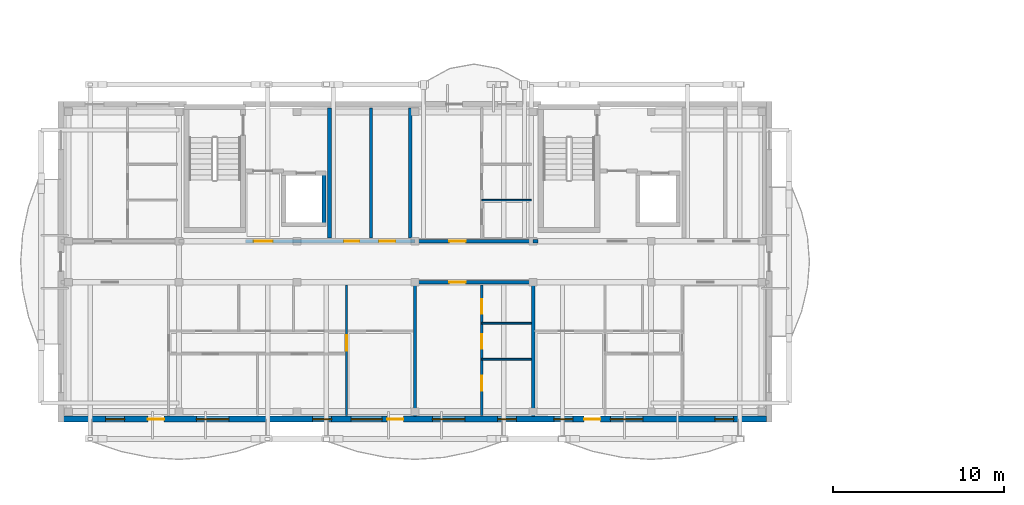
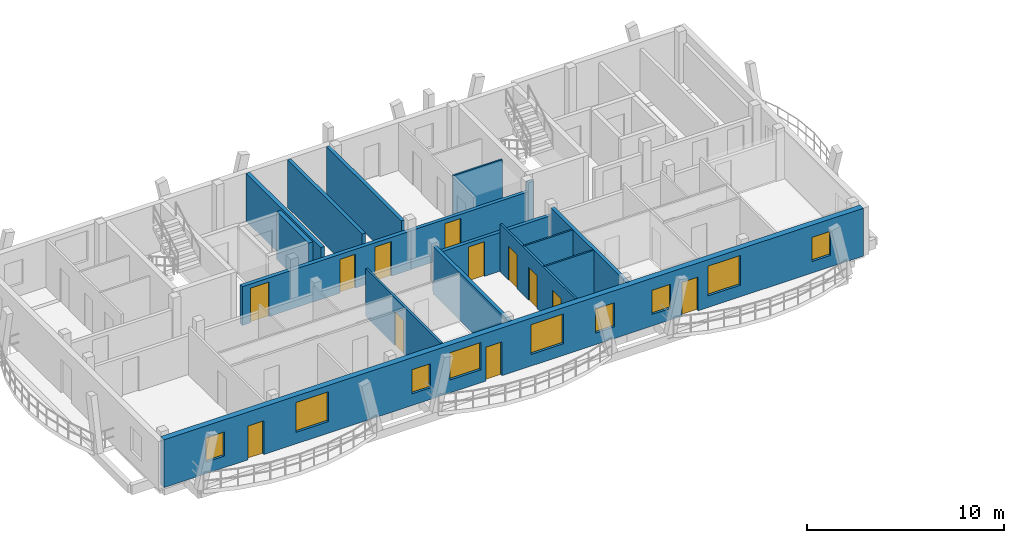
# One storey, part 10 of 21: 16 walls, 12 doors, 9 windows, 21 openings.
"""IFC4 building model written with IfcOpenShell, lengths in metres."""

from ifc_helpers import new_model, si_unit, direction, frame, frame_2d, origin, origin_with_axes, place, context, subcontext, project, spatial, rectangle, extrude, material, layer, layer_set, type_object, element, fill, save


model = new_model("IFC4")

# Units and contexts
model_context = context("Model", 3, precision=1e-05, world=origin(), true_north=direction((0.0, 1.0)))
body_context = subcontext(model_context, "Body", "Model", "MODEL_VIEW")
ifc_project = project(units=[si_unit("LENGTHUNIT", "METRE"), si_unit("AREAUNIT", "SQUARE_METRE"), si_unit("VOLUMEUNIT", "CUBIC_METRE"), si_unit("PLANEANGLEUNIT", "RADIAN"), si_unit("MASSUNIT", "GRAM", prefix="KILO")], contexts=[model_context])

# Site, building, storey
site_placement = place(None, origin())
site = spatial("IfcSite", under=ifc_project, at=site_placement, CompositionType="ELEMENT")
building_placement = place(site_placement, origin())
building = spatial("IfcBuilding", under=site, at=building_placement, Name="Zavelmont Quarter", CompositionType="ELEMENT")
storey_placement = place(building_placement, frame((0.0, 0.0, 36.800048828125)))
storey = spatial("IfcBuildingStorey", under=building, at=storey_placement, Name="L11", CompositionType="ELEMENT", Elevation=36.800048828125)

# Wall, openings, doors, windows
ifc_material_1 = material(Name="Natural Belgian limestone", Category="masonry")
ifc_layer_1 = layer(ifc_material_1, 0.340087890625)
ifc_layer_set_1 = layer_set([ifc_layer_1], Name="Natural Belgian limestone")
wall_type_1 = type_object("IfcWallType", Name="EW03", PredefinedType="STANDARD", material=ifc_layer_set_1)
wall_1_placement = place(storey_placement, frame((0.159912109375, 0.0, 0.0), z_axis=(0.0, 0.0, 1.0), x_axis=(1.0, 0.0, 0.0)))
wall_1 = element("IfcWall", 1, at=wall_1_placement, inside=storey, type_object=wall_type_1, Name="L11 exterior limestone wall EW03", PredefinedType="STANDARD", context=body_context, shape_type="SweptSolid", body=[
    extrude(rectangle(XDim=41.080078125, YDim=0.340087890625, at=frame_2d((20.5400390625, 0.0))), origin(), (0.0, 0.0, 1.0), 2.969970703125),
])
opening_1_placement = place(wall_1_placement, frame((4.926025390625, 0.0, 0.0)))
opening_1 = element("IfcOpeningElement", 2, at=opening_1_placement, cuts=wall_1, Name="Opening DR04", PredefinedType="OPENING", context=body_context, shape_type="SweptSolid", body=[
    extrude(rectangle(XDim=0.949951171875, YDim=2.10009765625, at=frame_2d((0.47509765625, 1.050048828125))), frame((0.0, 0.18212890625, 0.0), z_axis=(0.0, -1.0, 0.0), x_axis=(1.0, 0.0, 0.0)), (0.0, 0.0, 1.0), 0.364013671875),
])
opening_2_placement = place(wall_1_placement, frame((18.909912109375, 0.0, 0.0)))
opening_2 = element("IfcOpeningElement", 3, at=opening_2_placement, cuts=wall_1, Name="Opening DR04", PredefinedType="OPENING", context=body_context, shape_type="SweptSolid", body=[
    extrude(rectangle(XDim=0.949951171875, YDim=2.10009765625, at=frame_2d((0.47509765625, 1.050048828125))), frame((0.0, 0.18212890625, 0.0), z_axis=(0.0, -1.0, 0.0), x_axis=(1.0, 0.0, 0.0)), (0.0, 0.0, 1.0), 0.364013671875),
])
opening_3_placement = place(wall_1_placement, frame((30.426025390625, 0.0, 0.0)))
opening_3 = element("IfcOpeningElement", 4, at=opening_3_placement, cuts=wall_1, Name="Opening DR04", PredefinedType="OPENING", context=body_context, shape_type="SweptSolid", body=[
    extrude(rectangle(XDim=0.949951171875, YDim=2.10009765625, at=frame_2d((0.47509765625, 1.050048828125))), frame((0.0, 0.18212890625, 0.0), z_axis=(0.0, -1.0, 0.0), x_axis=(1.0, 0.0, 0.0)), (0.0, 0.0, 1.0), 0.364013671875),
])
opening_4_placement = place(wall_1_placement, frame((2.4599609375, 0.0, 0.719970703125)))
opening_4 = element("IfcOpeningElement", 5, at=opening_4_placement, cuts=wall_1, Name="Opening WN09", PredefinedType="OPENING", context=body_context, shape_type="SweptSolid", body=[
    extrude(rectangle(XDim=1.10009765625, YDim=1.5, at=frame_2d((0.550048828125, 0.75))), frame((0.0, 0.18212890625, 0.0), z_axis=(0.0, -1.0, 0.0), x_axis=(1.0, 0.0, 0.0)), (0.0, 0.0, 1.0), 0.364013671875),
])
opening_5_placement = place(wall_1_placement, frame((7.760009765625, 0.0, 0.719970703125)))
opening_5 = element("IfcOpeningElement", 6, at=opening_5_placement, cuts=wall_1, Name="Opening WN20", PredefinedType="OPENING", context=body_context, shape_type="SweptSolid", body=[
    extrude(rectangle(XDim=1.89990234375, YDim=1.85009765625, at=frame_2d((0.949951171875, 0.925048828125))), frame((0.0, 0.18212890625, 0.0), z_axis=(0.0, -1.0, 0.0), x_axis=(1.0, 0.0, 0.0)), (0.0, 0.0, 1.0), 0.364013671875),
])
opening_6_placement = place(wall_1_placement, frame((14.56005859375, 0.0, 0.719970703125)))
opening_6 = element("IfcOpeningElement", 7, at=opening_6_placement, cuts=wall_1, Name="Opening WN09", PredefinedType="OPENING", context=body_context, shape_type="SweptSolid", body=[
    extrude(rectangle(XDim=1.10009765625, YDim=1.5, at=frame_2d((0.550048828125, 0.75))), frame((0.0, 0.18212890625, 0.0), z_axis=(0.0, -1.0, 0.0), x_axis=(1.0, 0.0, 0.0)), (0.0, 0.0, 1.0), 0.364013671875),
])
opening_7_placement = place(wall_1_placement, frame((16.81005859375, 0.0, 0.800048828125)))
opening_7 = element("IfcOpeningElement", 8, at=opening_7_placement, cuts=wall_1, Name="Opening WN02", PredefinedType="OPENING", context=body_context, shape_type="SweptSolid", body=[
    extrude(rectangle(XDim=1.800048828125, YDim=1.699951171875, at=frame_2d((0.89990234375, 0.85009765625))), frame((0.0, 0.18212890625, 0.0), z_axis=(0.0, -1.0, 0.0), x_axis=(1.0, 0.0, 0.0)), (0.0, 0.0, 1.0), 0.364013671875),
])
opening_8_placement = place(wall_1_placement, frame((21.56005859375, 0.0, 0.719970703125)))
opening_8 = element("IfcOpeningElement", 9, at=opening_8_placement, cuts=wall_1, Name="Opening WN20", PredefinedType="OPENING", context=body_context, shape_type="SweptSolid", body=[
    extrude(rectangle(XDim=1.89990234375, YDim=1.85009765625, at=frame_2d((0.949951171875, 0.925048828125))), frame((0.0, 0.18212890625, 0.0), z_axis=(0.0, -1.0, 0.0), x_axis=(1.0, 0.0, 0.0)), (0.0, 0.0, 1.0), 0.364013671875),
])
opening_9_placement = place(wall_1_placement, frame((25.360107421875, 0.0, 0.719970703125)))
opening_9 = element("IfcOpeningElement", 10, at=opening_9_placement, cuts=wall_1, Name="Opening WN09", PredefinedType="OPENING", context=body_context, shape_type="SweptSolid", body=[
    extrude(rectangle(XDim=1.10009765625, YDim=1.5, at=frame_2d((0.550048828125, 0.75))), frame((0.0, 0.18212890625, 0.0), z_axis=(0.0, -1.0, 0.0), x_axis=(1.0, 0.0, 0.0)), (0.0, 0.0, 1.0), 0.364013671875),
])
opening_10_placement = place(wall_1_placement, frame((28.659912109375, 0.0, 0.719970703125)))
opening_10 = element("IfcOpeningElement", 11, at=opening_10_placement, cuts=wall_1, Name="Opening WN09", PredefinedType="OPENING", context=body_context, shape_type="SweptSolid", body=[
    extrude(rectangle(XDim=1.10009765625, YDim=1.5, at=frame_2d((0.550048828125, 0.75))), frame((0.0, 0.18212890625, 0.0), z_axis=(0.0, -1.0, 0.0), x_axis=(1.0, 0.0, 0.0)), (0.0, 0.0, 1.0), 0.364013671875),
])
opening_11_placement = place(wall_1_placement, frame((31.9599609375, 0.0, 0.719970703125)))
opening_11 = element("IfcOpeningElement", 12, at=opening_11_placement, cuts=wall_1, Name="Opening WN20", PredefinedType="OPENING", context=body_context, shape_type="SweptSolid", body=[
    extrude(rectangle(XDim=1.89990234375, YDim=1.85009765625, at=frame_2d((0.949951171875, 0.925048828125))), frame((0.0, 0.18212890625, 0.0), z_axis=(0.0, -1.0, 0.0), x_axis=(1.0, 0.0, 0.0)), (0.0, 0.0, 1.0), 0.364013671875),
])
opening_12_placement = place(wall_1_placement, frame((38.06005859375, 0.0, 0.719970703125)))
opening_12 = element("IfcOpeningElement", 13, at=opening_12_placement, cuts=wall_1, Name="Opening WN09", PredefinedType="OPENING", context=body_context, shape_type="SweptSolid", body=[
    extrude(rectangle(XDim=1.10009765625, YDim=1.5, at=frame_2d((0.550048828125, 0.75))), frame((0.0, 0.18212890625, 0.0), z_axis=(0.0, -1.0, 0.0), x_axis=(1.0, 0.0, 0.0)), (0.0, 0.0, 1.0), 0.364013671875),
])
ifc_material_2 = material(Name="Thermally broken aluminium and double safety glass", Category="aluminium")
door_type_1 = type_object("IfcDoorType", Name="DR04", OperationType="NOTDEFINED", PredefinedType="DOOR", material=ifc_material_2)
door_1_placement = place(opening_1_placement, origin_with_axes())
door_1 = element("IfcDoor", 14, at=door_1_placement, inside=storey, type_object=door_type_1, Name="Block A L11 glazed balcony door", OperationType="SINGLE_SWING_RIGHT", OverallHeight=2.10009765625, OverallWidth=0.949951171875, PredefinedType="DOOR", context=body_context, shape_type="SweptSolid", body=[
    extrude(rectangle(XDim=0.949951171875, YDim=2.10009765625, at=frame_2d((0.47509765625, 1.050048828125))), frame((0.0, 0.02490234375, 0.0), z_axis=(0.0, -1.0, 0.0), x_axis=(1.0, 0.0, 0.0)), (0.0, 0.0, 1.0), 0.050048828125),
])
fill(opening_1, door_1)
door_2_placement = place(opening_2_placement, origin_with_axes())
door_2 = element("IfcDoor", 15, at=door_2_placement, inside=storey, type_object=door_type_1, Name="Block A L11 glazed balcony door", OperationType="SINGLE_SWING_RIGHT", OverallHeight=2.10009765625, OverallWidth=0.949951171875, PredefinedType="DOOR", context=body_context, shape_type="SweptSolid", body=[
    extrude(rectangle(XDim=0.949951171875, YDim=2.10009765625, at=frame_2d((0.47509765625, 1.050048828125))), frame((0.0, 0.02490234375, 0.0), z_axis=(0.0, -1.0, 0.0), x_axis=(1.0, 0.0, 0.0)), (0.0, 0.0, 1.0), 0.050048828125),
])
fill(opening_2, door_2)
door_3_placement = place(opening_3_placement, origin_with_axes())
door_3 = element("IfcDoor", 16, at=door_3_placement, inside=storey, type_object=door_type_1, Name="Block A L11 glazed balcony door", OperationType="SINGLE_SWING_RIGHT", OverallHeight=2.10009765625, OverallWidth=0.949951171875, PredefinedType="DOOR", context=body_context, shape_type="SweptSolid", body=[
    extrude(rectangle(XDim=0.949951171875, YDim=2.10009765625, at=frame_2d((0.47509765625, 1.050048828125))), frame((0.0, 0.02490234375, 0.0), z_axis=(0.0, -1.0, 0.0), x_axis=(1.0, 0.0, 0.0)), (0.0, 0.0, 1.0), 0.050048828125),
])
fill(opening_3, door_3)
ifc_material_3 = material(Name="Double low-E insulated glazing in thermally broken aluminium frame", Category="aluminium")
window_type_1 = type_object("IfcWindowType", Name="WN02", PartitioningType="SINGLE_PANEL", PredefinedType="WINDOW", material=ifc_material_3)
window_1_placement = place(opening_7_placement, origin_with_axes())
window_1 = element("IfcWindow", 17, at=window_1_placement, inside=storey, type_object=window_type_1, Name="L11 window WN02", OverallHeight=1.699951171875, OverallWidth=1.800048828125, PartitioningType="SINGLE_PANEL", PredefinedType="WINDOW", context=body_context, shape_type="SweptSolid", body=[
    extrude(rectangle(XDim=1.800048828125, YDim=1.699951171875, at=frame_2d((0.89990234375, 0.85009765625))), frame((0.0, 0.030029296875, 0.0), z_axis=(0.0, -1.0, 0.0), x_axis=(1.0, 0.0, 0.0)), (0.0, 0.0, 1.0), 0.06005859375),
])
fill(opening_7, window_1)
window_type_2 = type_object("IfcWindowType", Name="WN09", PartitioningType="SINGLE_PANEL", PredefinedType="WINDOW", material=ifc_material_3)
window_2_placement = place(opening_4_placement, origin_with_axes())
window_2 = element("IfcWindow", 18, at=window_2_placement, inside=storey, type_object=window_type_2, Name="L11 window WN09", OverallHeight=1.5, OverallWidth=1.10009765625, PartitioningType="SINGLE_PANEL", PredefinedType="WINDOW", context=body_context, shape_type="SweptSolid", body=[
    extrude(rectangle(XDim=1.10009765625, YDim=1.5, at=frame_2d((0.550048828125, 0.75))), frame((0.0, 0.030029296875, 0.0), z_axis=(0.0, -1.0, 0.0), x_axis=(1.0, 0.0, 0.0)), (0.0, 0.0, 1.0), 0.06005859375),
])
fill(opening_4, window_2)
window_3_placement = place(opening_6_placement, origin_with_axes())
window_3 = element("IfcWindow", 19, at=window_3_placement, inside=storey, type_object=window_type_2, Name="L11 window WN09", OverallHeight=1.5, OverallWidth=1.10009765625, PartitioningType="SINGLE_PANEL", PredefinedType="WINDOW", context=body_context, shape_type="SweptSolid", body=[
    extrude(rectangle(XDim=1.10009765625, YDim=1.5, at=frame_2d((0.550048828125, 0.75))), frame((0.0, 0.030029296875, 0.0), z_axis=(0.0, -1.0, 0.0), x_axis=(1.0, 0.0, 0.0)), (0.0, 0.0, 1.0), 0.06005859375),
])
fill(opening_6, window_3)
window_4_placement = place(opening_9_placement, origin_with_axes())
window_4 = element("IfcWindow", 20, at=window_4_placement, inside=storey, type_object=window_type_2, Name="L11 window WN09", OverallHeight=1.5, OverallWidth=1.10009765625, PartitioningType="SINGLE_PANEL", PredefinedType="WINDOW", context=body_context, shape_type="SweptSolid", body=[
    extrude(rectangle(XDim=1.10009765625, YDim=1.5, at=frame_2d((0.550048828125, 0.75))), frame((0.0, 0.030029296875, 0.0), z_axis=(0.0, -1.0, 0.0), x_axis=(1.0, 0.0, 0.0)), (0.0, 0.0, 1.0), 0.06005859375),
])
fill(opening_9, window_4)
window_5_placement = place(opening_10_placement, origin_with_axes())
window_5 = element("IfcWindow", 21, at=window_5_placement, inside=storey, type_object=window_type_2, Name="L11 window WN09", OverallHeight=1.5, OverallWidth=1.10009765625, PartitioningType="SINGLE_PANEL", PredefinedType="WINDOW", context=body_context, shape_type="SweptSolid", body=[
    extrude(rectangle(XDim=1.10009765625, YDim=1.5, at=frame_2d((0.550048828125, 0.75))), frame((0.0, 0.030029296875, 0.0), z_axis=(0.0, -1.0, 0.0), x_axis=(1.0, 0.0, 0.0)), (0.0, 0.0, 1.0), 0.06005859375),
])
fill(opening_10, window_5)
window_6_placement = place(opening_12_placement, origin_with_axes())
window_6 = element("IfcWindow", 22, at=window_6_placement, inside=storey, type_object=window_type_2, Name="L11 window WN09", OverallHeight=1.5, OverallWidth=1.10009765625, PartitioningType="SINGLE_PANEL", PredefinedType="WINDOW", context=body_context, shape_type="SweptSolid", body=[
    extrude(rectangle(XDim=1.10009765625, YDim=1.5, at=frame_2d((0.550048828125, 0.75))), frame((0.0, 0.030029296875, 0.0), z_axis=(0.0, -1.0, 0.0), x_axis=(1.0, 0.0, 0.0)), (0.0, 0.0, 1.0), 0.06005859375),
])
fill(opening_12, window_6)
window_type_3 = type_object("IfcWindowType", Name="WN20", PartitioningType="SINGLE_PANEL", PredefinedType="WINDOW", material=ifc_material_3)
window_7_placement = place(opening_5_placement, origin_with_axes())
window_7 = element("IfcWindow", 23, at=window_7_placement, inside=storey, type_object=window_type_3, Name="L11 window WN20", OverallHeight=1.85009765625, OverallWidth=1.89990234375, PartitioningType="SINGLE_PANEL", PredefinedType="WINDOW", context=body_context, shape_type="SweptSolid", body=[
    extrude(rectangle(XDim=1.89990234375, YDim=1.85009765625, at=frame_2d((0.949951171875, 0.925048828125))), frame((0.0, 0.030029296875, 0.0), z_axis=(0.0, -1.0, 0.0), x_axis=(1.0, 0.0, 0.0)), (0.0, 0.0, 1.0), 0.06005859375),
])
fill(opening_5, window_7)
window_8_placement = place(opening_8_placement, origin_with_axes())
window_8 = element("IfcWindow", 24, at=window_8_placement, inside=storey, type_object=window_type_3, Name="L11 window WN20", OverallHeight=1.85009765625, OverallWidth=1.89990234375, PartitioningType="SINGLE_PANEL", PredefinedType="WINDOW", context=body_context, shape_type="SweptSolid", body=[
    extrude(rectangle(XDim=1.89990234375, YDim=1.85009765625, at=frame_2d((0.949951171875, 0.925048828125))), frame((0.0, 0.030029296875, 0.0), z_axis=(0.0, -1.0, 0.0), x_axis=(1.0, 0.0, 0.0)), (0.0, 0.0, 1.0), 0.06005859375),
])
fill(opening_8, window_8)
window_9_placement = place(opening_11_placement, origin_with_axes())
window_9 = element("IfcWindow", 25, at=window_9_placement, inside=storey, type_object=window_type_3, Name="L11 window WN20", OverallHeight=1.85009765625, OverallWidth=1.89990234375, PartitioningType="SINGLE_PANEL", PredefinedType="WINDOW", context=body_context, shape_type="SweptSolid", body=[
    extrude(rectangle(XDim=1.89990234375, YDim=1.85009765625, at=frame_2d((0.949951171875, 0.925048828125))), frame((0.0, 0.030029296875, 0.0), z_axis=(0.0, -1.0, 0.0), x_axis=(1.0, 0.0, 0.0)), (0.0, 0.0, 1.0), 0.06005859375),
])
fill(opening_11, window_9)

# Walls
ifc_material_4 = material(Name="Calcium-silicate blockwork and acoustic plaster", Category="masonry")
ifc_layer_2 = layer(ifc_material_4, 0.199951171875)
ifc_layer_set_2 = layer_set([ifc_layer_2], Name="Calcium-silicate blockwork and acoustic plaster")
wall_type_2 = type_object("IfcWallType", Name="IW01", PredefinedType="PARTITIONING", material=ifc_layer_set_2)
for number, where, z_axis, x_axis, name in (
    (26, (18.125, 10.60009765625, 0.0), (0.0, 0.0, 1.0), (0.0, 1.0, 0.0), "L11 Service riser divider wall IW01"),
    (27, (20.419921875, 10.60009765625, 0.0), (0.0, 0.0, 1.0), (0.0, 1.0, 0.0), "L11 Core service end wall IW01"),
):
    element("IfcWall", number, at=place(storey_placement, frame(where, z_axis=z_axis, x_axis=x_axis)), inside=storey, type_object=wall_type_2, Name=name, PredefinedType="PARTITIONING", context=body_context, shape_type="SweptSolid", body=[
        extrude(rectangle(XDim=7.599853515625, YDim=0.199951171875, at=frame_2d((3.7998046875, 0.0))), origin(), (0.0, 0.0, 1.0), 2.969970703125),
    ])
for number, where, z_axis, x_axis, name in (
    (28, (20.699951171875, 7.85009765625, 0.0), (0.0, 0.0, 1.0), (0.0, -1.0, 0.0), "L11 Inter-dwelling compartment wall IW01"),
    (29, (27.60009765625, 7.85009765625, 0.0), (0.0, 0.0, 1.0), (0.0, -1.0, 0.0), "L11 Inter-dwelling compartment wall IW01"),
):
    element("IfcWall", number, at=place(storey_placement, frame(where, z_axis=z_axis, x_axis=x_axis)), inside=storey, type_object=wall_type_2, Name=name, PredefinedType="PARTITIONING", context=body_context, shape_type="SweptSolid", body=[
        extrude(rectangle(XDim=7.7001953125, YDim=0.199951171875, at=frame_2d((3.85009765625, 0.0))), origin(), (0.0, 0.0, 1.0), 2.969970703125),
    ])

# Wall, opening, door
wall_2_placement = place(storey_placement, frame((20.699951171875, 8.0, 0.0), z_axis=(0.0, 0.0, 1.0), x_axis=(1.0, 0.0, 0.0)))
wall_2 = element("IfcWall", 30, at=wall_2_placement, inside=storey, type_object=wall_type_2, Name="L11 Corridor compartment wall IW01", PredefinedType="PARTITIONING", context=body_context, shape_type="SweptSolid", body=[
    extrude(rectangle(XDim=6.900146484375, YDim=0.199951171875, at=frame_2d((3.4501953125, 0.0))), origin(), (0.0, 0.0, 1.0), 2.409912109375),
])
opening_13_placement = place(wall_2_placement, frame((2.0, 0.0, 0.0)))
opening_13 = element("IfcOpeningElement", 31, at=opening_13_placement, cuts=wall_2, Name="Opening DR02", PredefinedType="OPENING", context=body_context, shape_type="SweptSolid", body=[
    extrude(rectangle(XDim=0.949951171875, YDim=2.14990234375, at=frame_2d((0.47509765625, 1.074951171875))), frame((0.0, 0.11181640625, 0.0), z_axis=(0.0, -1.0, 0.0), x_axis=(1.0, 0.0, 0.0)), (0.0, 0.0, 1.0), 0.223876953125),
])
ifc_material_5 = material(Name="Solid-core oak fire leaf in steel frame", Category="steel")
door_type_2 = type_object("IfcDoorType", Name="DR02", OperationType="NOTDEFINED", PredefinedType="DOOR", material=ifc_material_5)
door_4_placement = place(opening_13_placement, frame((0.949951171875, 0.0, 0.0), z_axis=(0.0, 0.0, 1.0), x_axis=(-1.0, 0.0, 0.0)))
door_4 = element("IfcDoor", 32, at=door_4_placement, inside=storey, type_object=door_type_2, Name="L11 door DR02", OperationType="SINGLE_SWING_RIGHT", OverallHeight=2.14990234375, OverallWidth=0.949951171875, PredefinedType="DOOR", context=body_context, shape_type="SweptSolid", body=[
    extrude(rectangle(XDim=0.949951171875, YDim=2.14990234375, at=frame_2d((0.47509765625, 1.074951171875))), frame((0.0, 0.02490234375, 0.0), z_axis=(0.0, -1.0, 0.0), x_axis=(1.0, 0.0, 0.0)), (0.0, 0.0, 1.0), 0.050048828125),
])
fill(opening_13, door_4)

wall_3_placement = place(storey_placement, frame((20.699951171875, 10.39990234375, 0.0), z_axis=(0.0, 0.0, 1.0), x_axis=(1.0, 0.0, 0.0)))
wall_3 = element("IfcWall", 33, at=wall_3_placement, inside=storey, type_object=wall_type_2, Name="L11 Corridor compartment wall IW01", PredefinedType="PARTITIONING", context=body_context, shape_type="SweptSolid", body=[
    extrude(rectangle(XDim=6.900146484375, YDim=0.199951171875, at=frame_2d((3.4501953125, 0.0))), origin(), (0.0, 0.0, 1.0), 2.409912109375),
])
opening_14_placement = place(wall_3_placement, frame((2.0, 0.0, 0.0)))
opening_14 = element("IfcOpeningElement", 34, at=opening_14_placement, cuts=wall_3, Name="Opening DR02", PredefinedType="OPENING", context=body_context, shape_type="SweptSolid", body=[
    extrude(rectangle(XDim=0.949951171875, YDim=2.14990234375, at=frame_2d((0.47509765625, 1.074951171875))), frame((0.0, 0.11181640625, 0.0), z_axis=(0.0, -1.0, 0.0), x_axis=(1.0, 0.0, 0.0)), (0.0, 0.0, 1.0), 0.223876953125),
])
door_5_placement = place(opening_14_placement, origin_with_axes())
door_5 = element("IfcDoor", 35, at=door_5_placement, inside=storey, type_object=door_type_2, Name="L11 door DR02", OperationType="SINGLE_SWING_RIGHT", OverallHeight=2.14990234375, OverallWidth=0.949951171875, PredefinedType="DOOR", context=body_context, shape_type="SweptSolid", body=[
    extrude(rectangle(XDim=0.949951171875, YDim=2.14990234375, at=frame_2d((0.47509765625, 1.074951171875))), frame((0.0, 0.02490234375, 0.0), z_axis=(0.0, -1.0, 0.0), x_axis=(1.0, 0.0, 0.0)), (0.0, 0.0, 1.0), 0.050048828125),
])
fill(opening_14, door_5)

# Wall
ifc_material_6 = material(Name="Reinforced masonry fire compartment wall", Category="masonry")
ifc_layer_3 = layer(ifc_material_6, 0.22509765625)
ifc_layer_set_3 = layer_set([ifc_layer_3], Name="Reinforced masonry fire compartment wall")
wall_type_3 = type_object("IfcWallType", Name="IW02", PredefinedType="PARTITIONING", material=ifc_layer_set_3)
wall_4_placement = place(storey_placement, frame((15.7099609375, 10.60009765625, 0.0), z_axis=(0.0, 0.0, 1.0), x_axis=(0.0, 1.0, 0.0)))
element("IfcWall", 36, at=wall_4_placement, inside=storey, type_object=wall_type_3, Name="L11 Firefighting lobby enclosure wall IW02", PredefinedType="PARTITIONING", context=body_context, shape_type="SweptSolid", body=[
    extrude(rectangle(XDim=7.599853515625, YDim=0.22509765625, at=frame_2d((3.7998046875, 0.0))), origin(), (0.0, 0.0, 1.0), 2.969970703125),
])

# Wall, openings, doors
wall_5_placement = place(storey_placement, frame((10.800048828125, 10.39990234375, 0.0), z_axis=(0.0, 0.0, 1.0), x_axis=(1.0, 0.0, 0.0)))
wall_5 = element("IfcWall", 37, at=wall_5_placement, inside=storey, type_object=wall_type_3, Name="L11 Core corridor fire wall IW02", PredefinedType="PARTITIONING", context=body_context, shape_type="SweptSolid", body=[
    extrude(rectangle(XDim=9.89990234375, YDim=0.22509765625, at=frame_2d((4.949951171875, 0.0))), origin(), (0.0, 0.0, 1.0), 2.409912109375),
])
opening_15_placement = place(wall_5_placement, frame((0.47509765625, 0.0, 0.0)))
opening_15 = element("IfcOpeningElement", 38, at=opening_15_placement, cuts=wall_5, Name="Opening DR10", PredefinedType="OPENING", context=body_context, shape_type="SweptSolid", body=[
    extrude(rectangle(XDim=1.10009765625, YDim=2.14990234375, at=frame_2d((0.550048828125, 1.074951171875))), frame((0.0, 0.12451171875, 0.0), z_axis=(0.0, -1.0, 0.0), x_axis=(1.0, 0.0, 0.0)), (0.0, 0.0, 1.0), 0.2490234375),
])
opening_16_placement = place(wall_5_placement, frame((5.75, 0.0, 0.0)))
opening_16 = element("IfcOpeningElement", 39, at=opening_16_placement, cuts=wall_5, Name="Opening DR11", PredefinedType="OPENING", context=body_context, shape_type="SweptSolid", body=[
    extrude(rectangle(XDim=0.89990234375, YDim=2.10009765625, at=frame_2d((0.449951171875, 1.050048828125))), frame((0.0, 0.12451171875, 0.0), z_axis=(0.0, -1.0, 0.0), x_axis=(1.0, 0.0, 0.0)), (0.0, 0.0, 1.0), 0.2490234375),
])
opening_17_placement = place(wall_5_placement, frame((7.800048828125, 0.0, 0.0)))
opening_17 = element("IfcOpeningElement", 40, at=opening_17_placement, cuts=wall_5, Name="Opening DR02", PredefinedType="OPENING", context=body_context, shape_type="SweptSolid", body=[
    extrude(rectangle(XDim=0.949951171875, YDim=2.14990234375, at=frame_2d((0.47509765625, 1.074951171875))), frame((0.0, 0.12451171875, 0.0), z_axis=(0.0, -1.0, 0.0), x_axis=(1.0, 0.0, 0.0)), (0.0, 0.0, 1.0), 0.2490234375),
])
door_6_placement = place(opening_17_placement, frame((0.949951171875, 0.0, 0.0), z_axis=(0.0, 0.0, 1.0), x_axis=(-1.0, 0.0, 0.0)))
door_6 = element("IfcDoor", 41, at=door_6_placement, inside=storey, type_object=door_type_2, Name="Auxiliary store corridor door", OperationType="SINGLE_SWING_RIGHT", OverallHeight=2.14990234375, OverallWidth=0.949951171875, PredefinedType="DOOR", context=body_context, shape_type="SweptSolid", body=[
    extrude(rectangle(XDim=0.949951171875, YDim=2.14990234375, at=frame_2d((0.47509765625, 1.074951171875))), frame((0.0, 0.02490234375, 0.0), z_axis=(0.0, -1.0, 0.0), x_axis=(1.0, 0.0, 0.0)), (0.0, 0.0, 1.0), 0.050048828125),
])
fill(opening_17, door_6)
ifc_material_7 = material(Name="Painted steel lobby fire door", Category="steel")
door_type_3 = type_object("IfcDoorType", Name="DR10", OperationType="NOTDEFINED", PredefinedType="DOOR", material=ifc_material_7)
door_7_placement = place(opening_15_placement, origin_with_axes())
door_7 = element("IfcDoor", 42, at=door_7_placement, inside=storey, type_object=door_type_3, Name="Core vestibule fire door", OperationType="SINGLE_SWING_RIGHT", OverallHeight=2.14990234375, OverallWidth=1.10009765625, PredefinedType="DOOR", context=body_context, shape_type="SweptSolid", body=[
    extrude(rectangle(XDim=1.10009765625, YDim=2.14990234375, at=frame_2d((0.550048828125, 1.074951171875))), frame((0.0, 0.02490234375, 0.0), z_axis=(0.0, -1.0, 0.0), x_axis=(1.0, 0.0, 0.0)), (0.0, 0.0, 1.0), 0.050048828125),
])
fill(opening_15, door_7)
ifc_material_8 = material(Name="Painted steel service-riser fire door", Category="steel")
door_type_4 = type_object("IfcDoorType", Name="DR11", OperationType="NOTDEFINED", PredefinedType="DOOR", material=ifc_material_8)
door_8_placement = place(opening_16_placement, frame((0.89990234375, 0.0, 0.0), z_axis=(0.0, 0.0, 1.0), x_axis=(-1.0, 0.0, 0.0)))
door_8 = element("IfcDoor", 43, at=door_8_placement, inside=storey, type_object=door_type_4, Name="Service riser fire door", OperationType="SINGLE_SWING_LEFT", OverallHeight=2.10009765625, OverallWidth=0.89990234375, PredefinedType="DOOR", context=body_context, shape_type="SweptSolid", body=[
    extrude(rectangle(XDim=0.89990234375, YDim=2.10009765625, at=frame_2d((0.449951171875, 1.050048828125))), frame((0.0, 0.02490234375, 0.0), z_axis=(0.0, -1.0, 0.0), x_axis=(1.0, 0.0, 0.0)), (0.0, 0.0, 1.0), 0.050048828125),
])
fill(opening_16, door_8)

# Wall
wall_6_placement = place(storey_placement, frame((27.60009765625, 10.39990234375, 0.0), z_axis=(0.0, 0.0, 1.0), x_axis=(1.0, 0.0, 0.0)))
element("IfcWall", 44, at=wall_6_placement, inside=storey, type_object=wall_type_3, Name="L11 Core corridor wall IW02", PredefinedType="PARTITIONING", context=body_context, shape_type="SweptSolid", body=[
    extrude(rectangle(XDim=0.2998046875, YDim=0.22509765625, at=frame_2d((0.14990234375, 0.0))), origin(), (0.0, 0.0, 1.0), 2.969970703125),
])

# Wall, opening, door
ifc_material_9 = material(Name="Double gypsum board on acoustic steel stud", Category="steel")
ifc_layer_4 = layer(ifc_material_9, 0.125)
ifc_layer_set_4 = layer_set([ifc_layer_4], Name="Double gypsum board on acoustic steel stud")
wall_type_4 = type_object("IfcWallType", Name="IW03", PredefinedType="PARTITIONING", material=ifc_layer_set_4)
wall_7_placement = place(storey_placement, frame((16.699951171875, 7.85009765625, 0.0), z_axis=(0.0, 0.0, 1.0), x_axis=(0.0, -1.0, 0.0)))
wall_7 = element("IfcWall", 45, at=wall_7_placement, inside=storey, type_object=wall_type_4, Name="L11 Partition IW03", PredefinedType="PARTITIONING", context=body_context, shape_type="SweptSolid", body=[
    extrude(rectangle(XDim=7.650146484375, YDim=0.125, at=frame_2d((3.8251953125, 0.0))), origin(), (0.0, 0.0, 1.0), 2.969970703125),
])
opening_18_placement = place(wall_7_placement, frame((2.949951171875, 0.0, 0.0)))
opening_18 = element("IfcOpeningElement", 46, at=opening_18_placement, cuts=wall_7, Name="Opening DR05", PredefinedType="OPENING", context=body_context, shape_type="SweptSolid", body=[
    extrude(rectangle(XDim=0.89990234375, YDim=2.10009765625, at=frame_2d((0.449951171875, 1.050048828125))), frame((0.0, 0.074462890625, 0.0), z_axis=(0.0, -1.0, 0.0), x_axis=(1.0, 0.0, 0.0)), (0.0, 0.0, 1.0), 0.14892578125),
])
ifc_material_10 = material(Name="Engineered oak flush interior door")
door_type_5 = type_object("IfcDoorType", Name="DR05", OperationType="NOTDEFINED", PredefinedType="DOOR", material=ifc_material_10)
door_9_placement = place(opening_18_placement, origin_with_axes())
door_9 = element("IfcDoor", 47, at=door_9_placement, inside=storey, type_object=door_type_5, Name="L11 door DR05", OperationType="SINGLE_SWING_LEFT", OverallHeight=2.10009765625, OverallWidth=0.89990234375, PredefinedType="DOOR", context=body_context, shape_type="SweptSolid", body=[
    extrude(rectangle(XDim=0.89990234375, YDim=2.10009765625, at=frame_2d((0.449951171875, 1.050048828125))), frame((0.0, 0.02490234375, 0.0), z_axis=(0.0, -1.0, 0.0), x_axis=(1.0, 0.0, 0.0)), (0.0, 0.0, 1.0), 0.050048828125),
])
fill(opening_18, door_9)

# Wall, openings, doors
wall_8_placement = place(storey_placement, frame((24.60009765625, 7.85009765625, 0.0), z_axis=(0.0, 0.0, 1.0), x_axis=(0.0, -1.0, 0.0)))
wall_8 = element("IfcWall", 48, at=wall_8_placement, inside=storey, type_object=wall_type_4, Name="L11 Partition IW03", PredefinedType="PARTITIONING", context=body_context, shape_type="SweptSolid", body=[
    extrude(rectangle(XDim=7.650146484375, YDim=0.125, at=frame_2d((3.8251953125, 0.0))), origin(), (0.0, 0.0, 1.0), 2.969970703125),
])
opening_19_placement = place(wall_8_placement, frame((0.85009765625, 0.0, 0.0)))
opening_19 = element("IfcOpeningElement", 49, at=opening_19_placement, cuts=wall_8, Name="Opening DR16", PredefinedType="OPENING", context=body_context, shape_type="SweptSolid", body=[
    extrude(rectangle(XDim=0.85009765625, YDim=2.10009765625, at=frame_2d((0.425048828125, 1.050048828125))), frame((0.0, 0.074462890625, 0.0), z_axis=(0.0, -1.0, 0.0), x_axis=(1.0, 0.0, 0.0)), (0.0, 0.0, 1.0), 0.14892578125),
])
opening_20_placement = place(wall_8_placement, frame((2.89990234375, 0.0, 0.0)))
opening_20 = element("IfcOpeningElement", 50, at=opening_20_placement, cuts=wall_8, Name="Opening DR06", PredefinedType="OPENING", context=body_context, shape_type="SweptSolid", body=[
    extrude(rectangle(XDim=0.85009765625, YDim=2.050048828125, at=frame_2d((0.425048828125, 1.02490234375))), frame((0.0, 0.074462890625, 0.0), z_axis=(0.0, -1.0, 0.0), x_axis=(1.0, 0.0, 0.0)), (0.0, 0.0, 1.0), 0.14892578125),
])
opening_21_placement = place(wall_8_placement, frame((5.300048828125, 0.0, 0.0)))
opening_21 = element("IfcOpeningElement", 51, at=opening_21_placement, cuts=wall_8, Name="Opening DR05", PredefinedType="OPENING", context=body_context, shape_type="SweptSolid", body=[
    extrude(rectangle(XDim=0.89990234375, YDim=2.10009765625, at=frame_2d((0.449951171875, 1.050048828125))), frame((0.0, 0.074462890625, 0.0), z_axis=(0.0, -1.0, 0.0), x_axis=(1.0, 0.0, 0.0)), (0.0, 0.0, 1.0), 0.14892578125),
])
door_10_placement = place(opening_21_placement, origin_with_axes())
door_10 = element("IfcDoor", 52, at=door_10_placement, inside=storey, type_object=door_type_5, Name="L11 door DR05", OperationType="SINGLE_SWING_RIGHT", OverallHeight=2.10009765625, OverallWidth=0.89990234375, PredefinedType="DOOR", context=body_context, shape_type="SweptSolid", body=[
    extrude(rectangle(XDim=0.89990234375, YDim=2.10009765625, at=frame_2d((0.449951171875, 1.050048828125))), frame((0.0, 0.02490234375, 0.0), z_axis=(0.0, -1.0, 0.0), x_axis=(1.0, 0.0, 0.0)), (0.0, 0.0, 1.0), 0.050048828125),
])
fill(opening_21, door_10)
ifc_material_11 = material(Name="Moisture-resistant painted wet-room door")
door_type_6 = type_object("IfcDoorType", Name="DR06", OperationType="NOTDEFINED", PredefinedType="DOOR", material=ifc_material_11)
door_11_placement = place(opening_20_placement, frame((0.85009765625, 0.0, 0.0), z_axis=(0.0, 0.0, 1.0), x_axis=(-1.0, 0.0, 0.0)))
door_11 = element("IfcDoor", 53, at=door_11_placement, inside=storey, type_object=door_type_6, Name="L11 door DR06", OperationType="SINGLE_SWING_LEFT", OverallHeight=2.050048828125, OverallWidth=0.85009765625, PredefinedType="DOOR", context=body_context, shape_type="SweptSolid", body=[
    extrude(rectangle(XDim=0.85009765625, YDim=2.050048828125, at=frame_2d((0.425048828125, 1.02490234375))), frame((0.0, 0.02490234375, 0.0), z_axis=(0.0, -1.0, 0.0), x_axis=(1.0, 0.0, 0.0)), (0.0, 0.0, 1.0), 0.050048828125),
])
fill(opening_20, door_11)
door_type_7 = type_object("IfcDoorType", Name="DR16", OperationType="NOTDEFINED", PredefinedType="DOOR", material=ifc_material_10)
door_12_placement = place(opening_19_placement, origin_with_axes())
door_12 = element("IfcDoor", 54, at=door_12_placement, inside=storey, type_object=door_type_7, Name="L11 door DR16", OperationType="SINGLE_SWING_RIGHT", OverallHeight=2.10009765625, OverallWidth=0.85009765625, PredefinedType="DOOR", context=body_context, shape_type="SweptSolid", body=[
    extrude(rectangle(XDim=0.85009765625, YDim=2.10009765625, at=frame_2d((0.425048828125, 1.050048828125))), frame((0.0, 0.02490234375, 0.0), z_axis=(0.0, -1.0, 0.0), x_axis=(1.0, 0.0, 0.0)), (0.0, 0.0, 1.0), 0.050048828125),
])
fill(opening_19, door_12)

# Walls
ifc_material_12 = material(Name="Moisture-resistant gypsum board on steel stud", Category="steel")
ifc_layer_5 = layer(ifc_material_12, 0.10009765625)
ifc_layer_set_5 = layer_set([ifc_layer_5], Name="Moisture-resistant gypsum board on steel stud")
wall_type_5 = type_object("IfcWallType", Name="IW04", PredefinedType="PARTITIONING", material=ifc_layer_set_5)
for number, where, z_axis, x_axis, name in (
    (55, (24.60009765625, 5.60009765625, 0.0), (0.0, 0.0, 1.0), (1.0, 0.0, 0.0), "L11 Partition IW04"),
    (56, (24.60009765625, 3.5, 0.0), (0.0, 0.0, 1.0), (1.0, 0.0, 0.0), "L11 Partition IW04"),
    (57, (24.60009765625, 12.800048828125, 0.0), (0.0, 0.0, 1.0), (1.0, 0.0, 0.0), "L11 Partition IW04"),
):
    element("IfcWall", number, at=place(storey_placement, frame(where, z_axis=z_axis, x_axis=x_axis)), inside=storey, type_object=wall_type_5, Name=name, PredefinedType="PARTITIONING", context=body_context, shape_type="SweptSolid", body=[
        extrude(rectangle(XDim=2.89990234375, YDim=0.10009765625, at=frame_2d((1.449951171875, 0.0))), origin(), (0.0, 0.0, 1.0), 2.969970703125),
    ])
ifc_material_13 = material(Name="Concrete C40/50", Category="concrete")
ifc_layer_6 = layer(ifc_material_13, 0.25)
ifc_layer_set_6 = layer_set([ifc_layer_6], Name="Concrete C40/50")
wall_type_6 = type_object("IfcWallType", Name="SW02", PredefinedType="SHEAR", material=ifc_layer_set_6)
wall_9_placement = place(storey_placement, frame((15.375, 11.25, 0.0), z_axis=(0.0, 0.0, 1.0), x_axis=(0.0, 1.0, 0.0)))
element("IfcWall", 58, at=wall_9_placement, inside=storey, type_object=wall_type_6, Name="L11 Lift FL01 east shaft wall SW02", PredefinedType="SHEAR", context=body_context, shape_type="SweptSolid", body=[
    extrude(rectangle(XDim=3.25, YDim=0.25, at=frame_2d((1.625, 0.0))), origin(), (0.0, 0.0, 1.0), 2.969970703125),
])

save(model, "model.ifc")
